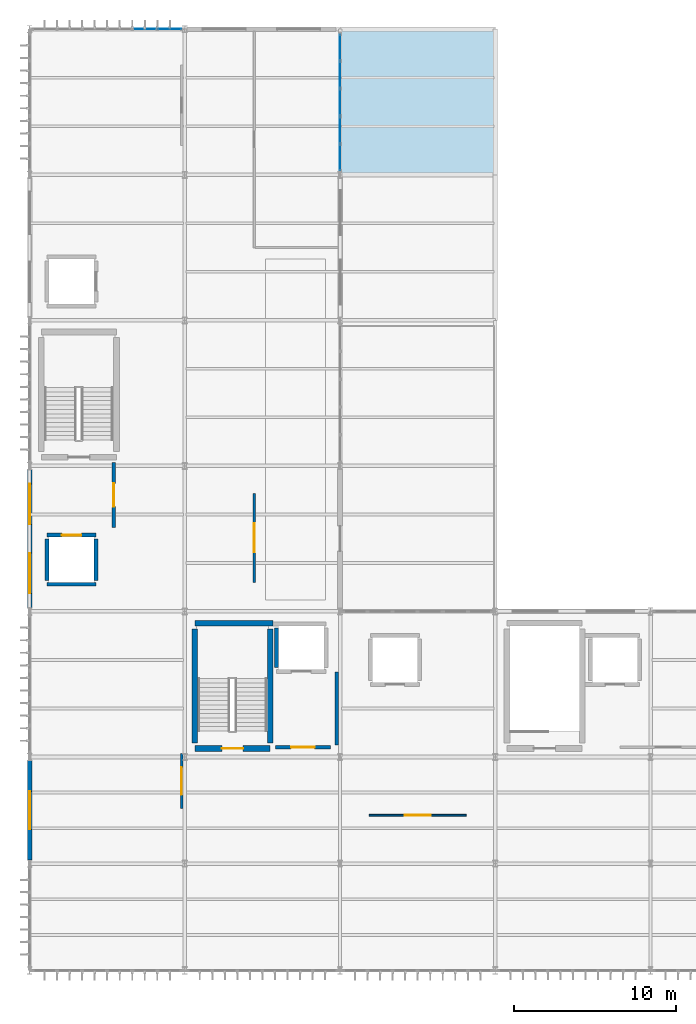
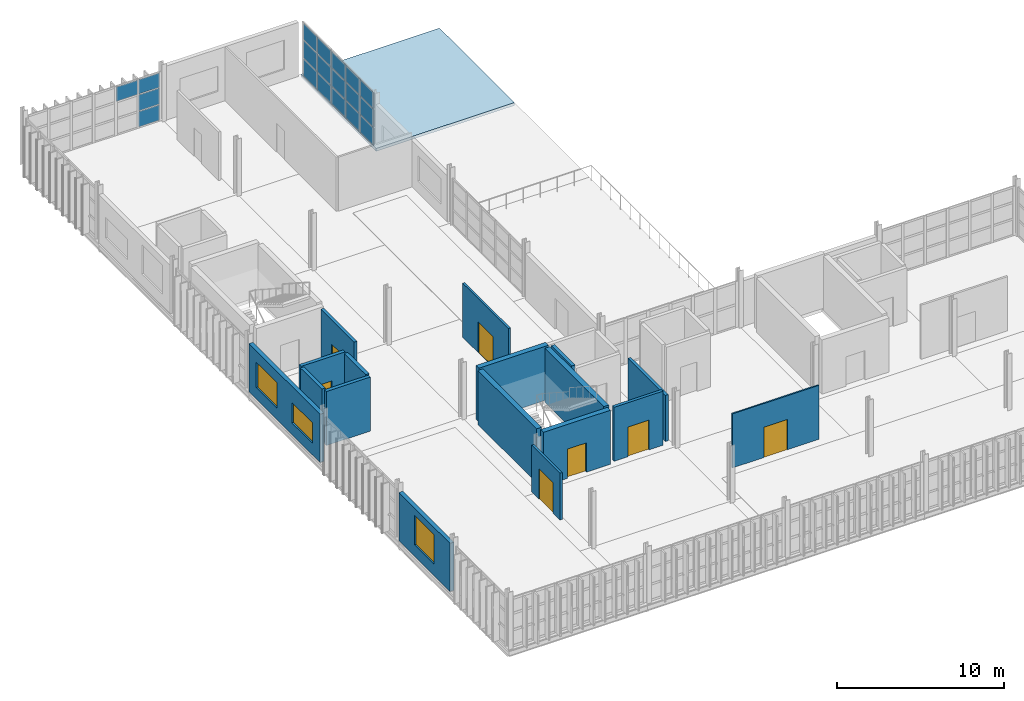
# One storey, part 18 of 38: 19 plates, 17 walls, 7 doors, 3 windows, 1 slab, 10 openings, 2 elements without a shape of their own.
"""IFC4 building model written with IfcOpenShell, lengths in metres."""

from ifc_helpers import new_model, si_unit, direction, frame, frame_2d, origin, origin_2d, place, context, subcontext, project, spatial, polyline, rectangle, outline, extrude, material, layer, layer_set, type_object, element, fill, aggregate, save


model = new_model("IFC4")

# Units and contexts
model_context = context("Model", 3, precision=1e-05, world=origin(), true_north=direction((0.0, 1.0)))
body_context = subcontext(model_context, "Body", "Model", "MODEL_VIEW")
ifc_project = project(units=[si_unit("LENGTHUNIT", "METRE"), si_unit("AREAUNIT", "SQUARE_METRE"), si_unit("VOLUMEUNIT", "CUBIC_METRE"), si_unit("PLANEANGLEUNIT", "RADIAN"), si_unit("MASSUNIT", "GRAM", prefix="KILO")], contexts=[model_context])

# Site, building, storey
site_placement = place(None, origin())
site = spatial("IfcSite", under=ifc_project, at=site_placement, CompositionType="ELEMENT")
building_placement = place(site_placement, origin())
building = spatial("IfcBuilding", under=site, at=building_placement, Name="Zarnetskaya Central Station", CompositionType="ELEMENT")
storey_placement = place(building_placement, frame((0.0, 0.0, 18.60009765625)))
storey = spatial("IfcBuildingStorey", under=building, at=storey_placement, Name="L04", CompositionType="ELEMENT", Elevation=18.60009765625)

# Curtain wall, plates
ifc_material_1 = material(Name="Low-E insulated glass", Category="glass")
ifc_layer_1 = layer(ifc_material_1, 0.159912109375, Name="Low-E insulated glass", Category="glass")
ifc_layer_set_1 = layer_set([ifc_layer_1], Name="Low-E insulated glass")
curtain_wall_type = type_object("IfcCurtainWallType", Name="CW-SYS-06", PredefinedType="USERDEFINED", material=ifc_layer_set_1)
curtain_wall_1_placement = place(storey_placement, origin())
curtain_wall_1 = element("IfcCurtainWall", 1, at=curtain_wall_1_placement, inside=storey, type_object=curtain_wall_type, Name="Curtain wall CW-L04-051", ObjectType="CURTAIN WALL", PredefinedType="USERDEFINED")
ifc_layer_2 = layer(ifc_material_1, 0.031982421875, Name="Low-E insulated glass", Category="glass")
ifc_layer_set_2 = layer_set([ifc_layer_2], Name="Low-E insulated glass")
plate_type_1 = type_object("IfcPlateType", Name="CW-PAN-32", PredefinedType="CURTAIN_PANEL", material=ifc_layer_set_2)
plate_1_placement = place(storey_placement, frame((7.125, 58.199951171875, 2.48291015625), z_axis=(0.0, 0.0, 1.0), x_axis=(1.0, 0.0, 0.0)))
plate_1 = element("IfcPlate", 2, at=plate_1_placement, type_object=plate_type_1, Name="CW-02 panel 5.3", PredefinedType="CURTAIN_PANEL", context=body_context, shape_type="SweptSolid", body=[
    extrude(rectangle(XDim=1.47998046875, YDim=0.031982421875, at=origin_2d()), origin(), (0.0, 0.0, 1.0), 1.047119140625),
])
plate_2_placement = place(storey_placement, frame((8.657470703125, 58.199951171875, 0.06982421875), z_axis=(0.0, 0.0, 1.0), x_axis=(1.0, 0.0, 0.0)))
plate_2 = element("IfcPlate", 3, at=plate_2_placement, type_object=plate_type_1, Name="CW-02 panel 6.1", PredefinedType="CURTAIN_PANEL", context=body_context, shape_type="SweptSolid", body=[
    extrude(rectangle(XDim=1.445068359375, YDim=0.031982421875, at=origin_2d()), origin(), (0.0, 0.0, 1.0), 1.118896484375),
])
plate_3_placement = place(storey_placement, frame((8.657470703125, 58.199951171875, 1.2587890625), z_axis=(0.0, 0.0, 1.0), x_axis=(1.0, 0.0, 0.0)))
plate_3 = element("IfcPlate", 4, at=plate_3_placement, type_object=plate_type_1, Name="CW-02 panel 6.2", PredefinedType="CURTAIN_PANEL", context=body_context, shape_type="SweptSolid", body=[
    extrude(rectangle(XDim=1.445068359375, YDim=0.031982421875, at=origin_2d()), origin(), (0.0, 0.0, 1.0), 1.154052734375),
])
plate_4_placement = place(storey_placement, frame((8.657470703125, 58.199951171875, 2.48291015625), z_axis=(0.0, 0.0, 1.0), x_axis=(1.0, 0.0, 0.0)))
plate_4 = element("IfcPlate", 5, at=plate_4_placement, type_object=plate_type_1, Name="CW-02 panel 6.3", PredefinedType="CURTAIN_PANEL", context=body_context, shape_type="SweptSolid", body=[
    extrude(rectangle(XDim=1.445068359375, YDim=0.031982421875, at=origin_2d()), origin(), (0.0, 0.0, 1.0), 1.047119140625),
])
aggregate(curtain_wall_1, [plate_1, plate_2, plate_3, plate_4])

curtain_wall_2_placement = place(storey_placement, origin())
curtain_wall_2 = element("IfcCurtainWall", 6, at=curtain_wall_2_placement, inside=storey, type_object=curtain_wall_type, Name="Curtain wall CW-L04-052", ObjectType="CURTAIN WALL", PredefinedType="USERDEFINED")
ifc_layer_3 = layer(ifc_material_1, 0.035888671875, Name="Low-E insulated glass", Category="glass")
ifc_layer_set_3 = layer_set([ifc_layer_3], Name="Low-E insulated glass")
plate_type_2 = type_object("IfcPlateType", Name="CW-PAN-36", PredefinedType="CURTAIN_PANEL", material=ifc_layer_set_3)
plate_5_placement = place(storey_placement, frame((19.199951171875, 57.074951171875, 0.080078125), z_axis=(0.0, 0.0, 1.0), x_axis=(0.0, -1.0, 0.0)))
plate_5 = element("IfcPlate", 7, at=plate_5_placement, type_object=plate_type_2, Name="CW-02 panel 1.1", PredefinedType="CURTAIN_PANEL", context=body_context, shape_type="SweptSolid", body=[
    extrude(rectangle(XDim=1.590087890625, YDim=0.035888671875, at=origin_2d()), origin(), (0.0, 0.0, 1.0), 1.237060546875),
])
plate_6_placement = place(storey_placement, frame((19.199951171875, 57.074951171875, 1.39697265625), z_axis=(0.0, 0.0, 1.0), x_axis=(0.0, -1.0, 0.0)))
plate_6 = element("IfcPlate", 8, at=plate_6_placement, type_object=plate_type_2, Name="CW-02 panel 1.2", PredefinedType="CURTAIN_PANEL", context=body_context, shape_type="SweptSolid", body=[
    extrude(rectangle(XDim=1.590087890625, YDim=0.035888671875, at=origin_2d()), origin(), (0.0, 0.0, 1.0), 1.27587890625),
])
plate_7_placement = place(storey_placement, frame((19.199951171875, 57.074951171875, 2.7529296875), z_axis=(0.0, 0.0, 1.0), x_axis=(0.0, -1.0, 0.0)))
plate_7 = element("IfcPlate", 9, at=plate_7_placement, type_object=plate_type_2, Name="CW-02 panel 1.3", PredefinedType="CURTAIN_PANEL", context=body_context, shape_type="SweptSolid", body=[
    extrude(rectangle(XDim=1.590087890625, YDim=0.035888671875, at=origin_2d()), origin(), (0.0, 0.0, 1.0), 1.156982421875),
])
plate_8_placement = place(storey_placement, frame((19.199951171875, 55.385009765625, 0.080078125), z_axis=(0.0, 0.0, 1.0), x_axis=(0.0, -1.0, 0.0)))
plate_8 = element("IfcPlate", 10, at=plate_8_placement, type_object=plate_type_2, Name="CW-02 panel 2.1", PredefinedType="CURTAIN_PANEL", context=body_context, shape_type="SweptSolid", body=[
    extrude(rectangle(XDim=1.6298828125, YDim=0.035888671875, at=origin_2d()), origin(), (0.0, 0.0, 1.0), 1.237060546875),
])
plate_9_placement = place(storey_placement, frame((19.199951171875, 55.385009765625, 1.39697265625), z_axis=(0.0, 0.0, 1.0), x_axis=(0.0, -1.0, 0.0)))
plate_9 = element("IfcPlate", 11, at=plate_9_placement, type_object=plate_type_2, Name="CW-02 panel 2.2", PredefinedType="CURTAIN_PANEL", context=body_context, shape_type="SweptSolid", body=[
    extrude(rectangle(XDim=1.6298828125, YDim=0.035888671875, at=origin_2d()), origin(), (0.0, 0.0, 1.0), 1.27587890625),
])
plate_10_placement = place(storey_placement, frame((19.199951171875, 55.385009765625, 2.7529296875), z_axis=(0.0, 0.0, 1.0), x_axis=(0.0, -1.0, 0.0)))
plate_10 = element("IfcPlate", 12, at=plate_10_placement, type_object=plate_type_2, Name="CW-02 panel 2.3", PredefinedType="CURTAIN_PANEL", context=body_context, shape_type="SweptSolid", body=[
    extrude(rectangle(XDim=1.6298828125, YDim=0.035888671875, at=origin_2d()), origin(), (0.0, 0.0, 1.0), 1.156982421875),
])
plate_11_placement = place(storey_placement, frame((19.199951171875, 53.675048828125, 0.080078125), z_axis=(0.0, 0.0, 1.0), x_axis=(0.0, -1.0, 0.0)))
plate_11 = element("IfcPlate", 13, at=plate_11_placement, type_object=plate_type_2, Name="CW-02 panel 3.1", PredefinedType="CURTAIN_PANEL", context=body_context, shape_type="SweptSolid", body=[
    extrude(rectangle(XDim=1.6298828125, YDim=0.035888671875, at=origin_2d()), origin(), (0.0, 0.0, 1.0), 1.237060546875),
])
plate_12_placement = place(storey_placement, frame((19.199951171875, 53.675048828125, 1.39697265625), z_axis=(0.0, 0.0, 1.0), x_axis=(0.0, -1.0, 0.0)))
plate_12 = element("IfcPlate", 14, at=plate_12_placement, type_object=plate_type_2, Name="CW-02 panel 3.2", PredefinedType="CURTAIN_PANEL", context=body_context, shape_type="SweptSolid", body=[
    extrude(rectangle(XDim=1.6298828125, YDim=0.035888671875, at=origin_2d()), origin(), (0.0, 0.0, 1.0), 1.27587890625),
])
plate_13_placement = place(storey_placement, frame((19.199951171875, 53.675048828125, 2.7529296875), z_axis=(0.0, 0.0, 1.0), x_axis=(0.0, -1.0, 0.0)))
plate_13 = element("IfcPlate", 15, at=plate_13_placement, type_object=plate_type_2, Name="CW-02 panel 3.3", PredefinedType="CURTAIN_PANEL", context=body_context, shape_type="SweptSolid", body=[
    extrude(rectangle(XDim=1.6298828125, YDim=0.035888671875, at=origin_2d()), origin(), (0.0, 0.0, 1.0), 1.156982421875),
])
plate_14_placement = place(storey_placement, frame((19.199951171875, 51.965087890625, 0.080078125), z_axis=(0.0, 0.0, 1.0), x_axis=(0.0, -1.0, 0.0)))
plate_14 = element("IfcPlate", 16, at=plate_14_placement, type_object=plate_type_2, Name="CW-02 panel 4.1", PredefinedType="CURTAIN_PANEL", context=body_context, shape_type="SweptSolid", body=[
    extrude(rectangle(XDim=1.6298828125, YDim=0.035888671875, at=origin_2d()), origin(), (0.0, 0.0, 1.0), 1.237060546875),
])
plate_15_placement = place(storey_placement, frame((19.199951171875, 51.965087890625, 1.39697265625), z_axis=(0.0, 0.0, 1.0), x_axis=(0.0, -1.0, 0.0)))
plate_15 = element("IfcPlate", 17, at=plate_15_placement, type_object=plate_type_2, Name="CW-02 panel 4.2", PredefinedType="CURTAIN_PANEL", context=body_context, shape_type="SweptSolid", body=[
    extrude(rectangle(XDim=1.6298828125, YDim=0.035888671875, at=origin_2d()), origin(), (0.0, 0.0, 1.0), 1.27587890625),
])
plate_16_placement = place(storey_placement, frame((19.199951171875, 51.965087890625, 2.7529296875), z_axis=(0.0, 0.0, 1.0), x_axis=(0.0, -1.0, 0.0)))
plate_16 = element("IfcPlate", 18, at=plate_16_placement, type_object=plate_type_2, Name="CW-02 panel 4.3", PredefinedType="CURTAIN_PANEL", context=body_context, shape_type="SweptSolid", body=[
    extrude(rectangle(XDim=1.6298828125, YDim=0.035888671875, at=origin_2d()), origin(), (0.0, 0.0, 1.0), 1.156982421875),
])
plate_17_placement = place(storey_placement, frame((19.199951171875, 50.27490234375, 0.080078125), z_axis=(0.0, 0.0, 1.0), x_axis=(0.0, -1.0, 0.0)))
plate_17 = element("IfcPlate", 19, at=plate_17_placement, type_object=plate_type_2, Name="CW-02 panel 5.1", PredefinedType="CURTAIN_PANEL", context=body_context, shape_type="SweptSolid", body=[
    extrude(rectangle(XDim=1.590087890625, YDim=0.035888671875, at=origin_2d()), origin(), (0.0, 0.0, 1.0), 1.237060546875),
])
plate_18_placement = place(storey_placement, frame((19.199951171875, 50.27490234375, 1.39697265625), z_axis=(0.0, 0.0, 1.0), x_axis=(0.0, -1.0, 0.0)))
plate_18 = element("IfcPlate", 20, at=plate_18_placement, type_object=plate_type_2, Name="CW-02 panel 5.2", PredefinedType="CURTAIN_PANEL", context=body_context, shape_type="SweptSolid", body=[
    extrude(rectangle(XDim=1.590087890625, YDim=0.035888671875, at=origin_2d()), origin(), (0.0, 0.0, 1.0), 1.27587890625),
])
plate_19_placement = place(storey_placement, frame((19.199951171875, 50.27490234375, 2.7529296875), z_axis=(0.0, 0.0, 1.0), x_axis=(0.0, -1.0, 0.0)))
plate_19 = element("IfcPlate", 21, at=plate_19_placement, type_object=plate_type_2, Name="CW-02 panel 5.3", PredefinedType="CURTAIN_PANEL", context=body_context, shape_type="SweptSolid", body=[
    extrude(rectangle(XDim=1.590087890625, YDim=0.035888671875, at=origin_2d()), origin(), (0.0, 0.0, 1.0), 1.156982421875),
])
aggregate(curtain_wall_2, [plate_5, plate_6, plate_7, plate_8, plate_9, plate_10, plate_11, plate_12, plate_13, plate_14, plate_15, plate_16, plate_17, plate_18, plate_19])

# Slab
ifc_material_2 = material(Name="Concrete C30/37", Category="concrete")
ifc_layer_4 = layer(ifc_material_2, 0.2099609375, Name="Concrete C30/37", Category="concrete")
ifc_layer_set_4 = layer_set([ifc_layer_4], Name="Concrete C30/37")
slab_type = type_object("IfcSlabType", Name="ROOF-FLAT-210", PredefinedType="ROOF", material=ifc_layer_set_4)
slab_placement = place(storey_placement, frame((0.0, 0.0, -0.210205078125)))
element("IfcSlab", 22, at=slab_placement, inside=storey, type_object=slab_type, Name="L04 slab C-D/7-8", PredefinedType="ROOF", context=body_context, shape_type="SweptSolid", body=[
    extrude(outline(polyline([(19.199951171875, 49.199951171875), (28.800048828125, 49.199951171875), (28.800048828125, 58.199951171875), (19.199951171875, 58.199951171875), (19.199951171875, 49.199951171875)])), origin(), (0.0, 0.0, 1.0), 0.210205078125),
])

# Wall, opening, door
ifc_material_3 = material(Name="Gypsum acoustic partition")
ifc_layer_5 = layer(ifc_material_3, 0.159912109375, Name="Gypsum acoustic partition")
ifc_layer_set_5 = layer_set([ifc_layer_5], Name="Gypsum acoustic partition")
wall_type_1 = type_object("IfcWallType", Name="PART-ACOU-160", PredefinedType="PARTITIONING", material=ifc_layer_set_5)
wall_1_placement = place(storey_placement, frame((9.39990234375, 13.39990234375, 0.0), z_axis=(0.0, 0.0, 1.0), x_axis=(0.0, -1.0, 0.0)))
wall_1 = element("IfcWall", 23, at=wall_1_placement, inside=storey, type_object=wall_type_1, Name="Interior partition IPRT-L04-0436", PredefinedType="PARTITIONING", context=body_context, shape_type="SweptSolid", body=[
    extrude(rectangle(XDim=3.39990234375, YDim=0.159912109375, at=frame_2d((1.699951171875, 0.0))), origin(), (0.0, 0.0, 1.0), 3.429931640625),
])
opening_1_placement = place(wall_1_placement, frame((0.85009765625, 0.0, 0.0)))
opening_1 = element("IfcOpeningElement", 24, at=opening_1_placement, cuts=wall_1, Name="Opening DR-05", PredefinedType="OPENING", context=body_context, shape_type="SweptSolid", body=[
    extrude(rectangle(XDim=1.699951171875, YDim=2.219970703125, at=frame_2d((0.85009765625, 1.10986328125))), frame((0.0, 0.08984375, 0.0), z_axis=(0.0, -1.0, 0.0), x_axis=(1.0, 0.0, 0.0)), (0.0, 0.0, 1.0), 0.179931640625),
])
ifc_material_4 = material(Name="Anodised aluminium", Category="aluminium")
door_type_1 = type_object("IfcDoorType", Name="DR-INT-17", OperationType="NOTDEFINED", PredefinedType="DOOR", material=ifc_material_4)
door_1_placement = place(opening_1_placement, origin())
door_1 = element("IfcDoor", 25, at=door_1_placement, inside=storey, type_object=door_type_1, Name="Staff Simulator Training Classroom door", OperationType="SINGLE_SWING_LEFT", OverallHeight=2.219970703125, OverallWidth=1.699951171875, PredefinedType="DOOR", context=body_context, shape_type="SweptSolid", body=[
    extrude(rectangle(XDim=1.699951171875, YDim=2.219970703125, at=frame_2d((0.85009765625, 1.10986328125))), frame((0.0, 0.02490234375, 0.0), z_axis=(0.0, -1.0, 0.0), x_axis=(1.0, 0.0, 0.0)), (0.0, 0.0, 1.0), 0.050048828125),
])
fill(opening_1, door_1)

ifc_layer_6 = layer(ifc_material_2, 0.205078125, Name="Concrete C30/37", Category="concrete")
ifc_layer_set_6 = layer_set([ifc_layer_6], Name="Concrete C30/37")
wall_type_2 = type_object("IfcWallType", Name="PART-FFL-205", PredefinedType="PARTITIONING", material=ifc_layer_set_6)
wall_2_placement = place(storey_placement, frame((18.60009765625, 13.800048828125, 0.0), z_axis=(0.0, 0.0, 1.0), x_axis=(-1.0, 0.0, 0.0)))
wall_2 = element("IfcWall", 26, at=wall_2_placement, inside=storey, type_object=wall_type_2, Name="Interior partition IPRT-L04-0368", PredefinedType="PARTITIONING", context=body_context, shape_type="SweptSolid", body=[
    extrude(rectangle(XDim=3.400146484375, YDim=0.205078125, at=frame_2d((1.7001953125, 0.0))), origin(), (0.0, 0.0, 1.0), 3.9599609375),
])
opening_2_placement = place(wall_2_placement, frame((0.97998046875, 0.0, 0.0)))
opening_2 = element("IfcOpeningElement", 27, at=opening_2_placement, cuts=wall_2, Name="Opening DR-FFL", PredefinedType="OPENING", context=body_context, shape_type="SweptSolid", body=[
    extrude(rectangle(XDim=1.43994140625, YDim=2.179931640625, at=frame_2d((0.719970703125, 1.08984375))), frame((0.0, 0.112548828125, 0.0), z_axis=(0.0, -1.0, 0.0), x_axis=(1.0, 0.0, 0.0)), (0.0, 0.0, 1.0), 0.22509765625),
])
door_type_2 = type_object("IfcDoorType", Name="DR-FIRE-LOBBY", OperationType="NOTDEFINED", PredefinedType="DOOR", material=ifc_material_4)
door_2_placement = place(opening_2_placement, origin())
door_2 = element("IfcDoor", 28, at=door_2_placement, inside=storey, type_object=door_type_2, Name="Firefighting Lift Lobby C1 door", OperationType="SINGLE_SWING_RIGHT", OverallHeight=2.179931640625, OverallWidth=1.43994140625, PredefinedType="DOOR", context=body_context, shape_type="SweptSolid", body=[
    extrude(rectangle(XDim=1.43994140625, YDim=2.179931640625, at=frame_2d((0.719970703125, 1.08984375))), frame((0.0, 0.02490234375, 0.0), z_axis=(0.0, -1.0, 0.0), x_axis=(1.0, 0.0, 0.0)), (0.0, 0.0, 1.0), 0.050048828125),
])
fill(opening_2, door_2)

# Wall
wall_3_placement = place(storey_placement, frame((19.0, 18.449951171875, 0.0), z_axis=(0.0, 0.0, 1.0), x_axis=(0.0, -1.0, 0.0)))
element("IfcWall", 29, at=wall_3_placement, inside=storey, type_object=wall_type_2, Name="Interior partition IPRT-L04-0369", PredefinedType="PARTITIONING", context=body_context, shape_type="SweptSolid", body=[
    extrude(rectangle(XDim=4.5, YDim=0.205078125, at=frame_2d((2.25, 0.0))), origin(), (0.0, 0.0, 1.0), 3.3798828125),
])

# Wall, opening, door
wall_4_placement = place(storey_placement, frame((5.199951171875, 31.39990234375, 0.0), z_axis=(0.0, 0.0, 1.0), x_axis=(0.0, -1.0, 0.0)))
wall_4 = element("IfcWall", 30, at=wall_4_placement, inside=storey, type_object=wall_type_2, Name="Interior partition IPRT-L04-0370", PredefinedType="PARTITIONING", context=body_context, shape_type="SweptSolid", body=[
    extrude(rectangle(XDim=4.0, YDim=0.205078125, at=frame_2d((2.0, 0.0))), origin(), (0.0, 0.0, 1.0), 3.9599609375),
])
opening_3_placement = place(wall_4_placement, frame((1.280029296875, 0.0, 0.0)))
opening_3 = element("IfcOpeningElement", 31, at=opening_3_placement, cuts=wall_4, Name="Opening DR-FFL", PredefinedType="OPENING", context=body_context, shape_type="SweptSolid", body=[
    extrude(rectangle(XDim=1.43994140625, YDim=2.179931640625, at=frame_2d((0.719970703125, 1.08984375))), frame((0.0, 0.112548828125, 0.0), z_axis=(0.0, -1.0, 0.0), x_axis=(1.0, 0.0, 0.0)), (0.0, 0.0, 1.0), 0.22509765625),
])
door_3_placement = place(opening_3_placement, origin())
door_3 = element("IfcDoor", 32, at=door_3_placement, inside=storey, type_object=door_type_2, Name="Firefighting Lift Lobby C2 door", OperationType="SINGLE_SWING_LEFT", OverallHeight=2.179931640625, OverallWidth=1.43994140625, PredefinedType="DOOR", context=body_context, shape_type="SweptSolid", body=[
    extrude(rectangle(XDim=1.43994140625, YDim=2.179931640625, at=frame_2d((0.719970703125, 1.08984375))), frame((0.0, 0.02490234375, 0.0), z_axis=(0.0, -1.0, 0.0), x_axis=(1.0, 0.0, 0.0)), (0.0, 0.0, 1.0), 0.050048828125),
])
fill(opening_3, door_3)

ifc_layer_7 = layer(ifc_material_3, 0.14501953125, Name="Gypsum acoustic partition")
ifc_layer_set_7 = layer_set([ifc_layer_7], Name="Gypsum acoustic partition")
wall_type_3 = type_object("IfcWallType", Name="PART-HALL-145", PredefinedType="PARTITIONING", material=ifc_layer_set_7)
wall_5_placement = place(storey_placement, frame((13.89990234375, 24.0, 0.0), z_axis=(0.0, 0.0, 1.0), x_axis=(0.0, 1.0, 0.0)))
wall_5 = element("IfcWall", 33, at=wall_5_placement, inside=storey, type_object=wall_type_3, Name="Interior partition IPRT-L04-0437", PredefinedType="PARTITIONING", context=body_context, shape_type="SweptSolid", body=[
    extrude(rectangle(XDim=5.5, YDim=0.14501953125, at=frame_2d((2.75, 0.0))), origin(), (0.0, 0.0, 1.0), 3.9599609375),
])
opening_4_placement = place(wall_5_placement, frame((1.860107421875, 0.0, 0.0)))
opening_4 = element("IfcOpeningElement", 34, at=opening_4_placement, cuts=wall_5, Name="Opening DR-21", PredefinedType="OPENING", context=body_context, shape_type="SweptSolid", body=[
    extrude(rectangle(XDim=1.780029296875, YDim=2.239990234375, at=frame_2d((0.89013671875, 1.1201171875))), frame((0.0, 0.08251953125, 0.0), z_axis=(0.0, -1.0, 0.0), x_axis=(1.0, 0.0, 0.0)), (0.0, 0.0, 1.0), 0.1650390625),
])
door_type_3 = type_object("IfcDoorType", Name="DR-INT-18", OperationType="NOTDEFINED", PredefinedType="DOOR", material=ifc_material_4)
door_4_placement = place(opening_4_placement, origin())
door_4 = element("IfcDoor", 35, at=door_4_placement, inside=storey, type_object=door_type_3, Name="Timetable and Engineering Archive door", OperationType="SINGLE_SWING_RIGHT", OverallHeight=2.239990234375, OverallWidth=1.780029296875, PredefinedType="DOOR", context=body_context, shape_type="SweptSolid", body=[
    extrude(rectangle(XDim=1.780029296875, YDim=2.239990234375, at=frame_2d((0.89013671875, 1.1201171875))), frame((0.0, 0.02490234375, 0.0), z_axis=(0.0, -1.0, 0.0), x_axis=(1.0, 0.0, 0.0)), (0.0, 0.0, 1.0), 0.050048828125),
])
fill(opening_4, door_4)

ifc_material_5 = material(Name="Gypsum stud partition")
ifc_layer_8 = layer(ifc_material_5, 0.10009765625, Name="Gypsum stud partition")
ifc_layer_set_8 = layer_set([ifc_layer_8], Name="Gypsum stud partition")
wall_type_4 = type_object("IfcWallType", Name="PART-LGT-100", PredefinedType="PARTITIONING", material=ifc_layer_set_8)
wall_6_placement = place(storey_placement, frame((21.0, 9.60009765625, 0.0), z_axis=(0.0, 0.0, 1.0), x_axis=(1.0, 0.0, 0.0)))
wall_6 = element("IfcWall", 36, at=wall_6_placement, inside=storey, type_object=wall_type_4, Name="Interior partition IPRT-L04-0435", PredefinedType="PARTITIONING", context=body_context, shape_type="SweptSolid", body=[
    extrude(rectangle(XDim=6.0, YDim=0.10009765625, at=frame_2d((3.0, 0.0))), origin(), (0.0, 0.0, 1.0), 3.9599609375),
])
opening_5_placement = place(wall_6_placement, frame((2.18994140625, 0.0, 0.0)))
opening_5 = element("IfcOpeningElement", 37, at=opening_5_placement, cuts=wall_6, Name="Opening DR-13", PredefinedType="OPENING", context=body_context, shape_type="SweptSolid", body=[
    extrude(rectangle(XDim=1.6201171875, YDim=2.219970703125, at=frame_2d((0.81005859375, 1.10986328125))), frame((0.0, 0.06005859375, 0.0), z_axis=(0.0, -1.0, 0.0), x_axis=(1.0, 0.0, 0.0)), (0.0, 0.0, 1.0), 0.1201171875),
])
door_type_4 = type_object("IfcDoorType", Name="DR-INT-16", OperationType="NOTDEFINED", PredefinedType="DOOR", material=ifc_material_4)
door_5_placement = place(opening_5_placement, origin())
door_5 = element("IfcDoor", 38, at=door_5_placement, inside=storey, type_object=door_type_4, Name="Network Timetable Planning Office door", OperationType="SINGLE_SWING_RIGHT", OverallHeight=2.219970703125, OverallWidth=1.6201171875, PredefinedType="DOOR", context=body_context, shape_type="SweptSolid", body=[
    extrude(rectangle(XDim=1.6201171875, YDim=2.219970703125, at=frame_2d((0.81005859375, 1.10986328125))), frame((0.0, 0.02490234375, 0.0), z_axis=(0.0, -1.0, 0.0), x_axis=(1.0, 0.0, 0.0)), (0.0, 0.0, 1.0), 0.050048828125),
])
fill(opening_5, door_5)

ifc_material_6 = material(Name="Concrete C35/45", Category="concrete")
ifc_layer_9 = layer(ifc_material_6, 0.35009765625, Name="Concrete C35/45", Category="concrete")
ifc_layer_set_9 = layer_set([ifc_layer_9], Name="Concrete C35/45")
wall_type_5 = type_object("IfcWallType", Name="WALL-CORE-350", PredefinedType="SHEAR", material=ifc_layer_set_9)
wall_7_placement = place(storey_placement, frame((14.875, 13.72509765625, 0.0), z_axis=(0.0, 0.0, 1.0), x_axis=(-1.0, 0.0, 0.0)))
wall_7 = element("IfcWall", 39, at=wall_7_placement, inside=storey, type_object=wall_type_5, Name="Core shear wall WSTR-L04-0209", PredefinedType="SHEAR", context=body_context, shape_type="SweptSolid", body=[
    extrude(rectangle(XDim=4.64990234375, YDim=0.35009765625, at=frame_2d((2.324951171875, 0.0))), origin(), (0.0, 0.0, 1.0), 3.9599609375),
])
opening_6_placement = place(wall_7_placement, frame((1.6650390625, 0.0, 0.0)))
opening_6 = element("IfcOpeningElement", 40, at=opening_6_placement, cuts=wall_7, Name="Opening DR-FD60", PredefinedType="OPENING", context=body_context, shape_type="SweptSolid", body=[
    extrude(rectangle(XDim=1.320068359375, YDim=2.14990234375, at=frame_2d((0.66015625, 1.074951171875))), frame((0.0, 0.18505859375, 0.0), z_axis=(0.0, -1.0, 0.0), x_axis=(1.0, 0.0, 0.0)), (0.0, 0.0, 1.0), 0.3701171875),
])
door_type_5 = type_object("IfcDoorType", Name="DR-FIRE-STAIR", OperationType="NOTDEFINED", PredefinedType="DOOR", material=ifc_material_4)
door_6_placement = place(opening_6_placement, origin())
door_6 = element("IfcDoor", 41, at=door_6_placement, inside=storey, type_object=door_type_5, Name="Protected exit stair door ST-C1 L04", OperationType="SINGLE_SWING_RIGHT", OverallHeight=2.14990234375, OverallWidth=1.320068359375, PredefinedType="DOOR", context=body_context, shape_type="SweptSolid", body=[
    extrude(rectangle(XDim=1.320068359375, YDim=2.14990234375, at=frame_2d((0.66015625, 1.074951171875))), frame((0.0, 0.02490234375, 0.0), z_axis=(0.0, -1.0, 0.0), x_axis=(1.0, 0.0, 0.0)), (0.0, 0.0, 1.0), 0.050048828125),
])
fill(opening_6, door_6)

# Walls
wall_8_placement = place(storey_placement, frame((10.22509765625, 21.47509765625, 0.0), z_axis=(0.0, 0.0, 1.0), x_axis=(1.0, 0.0, 0.0)))
element("IfcWall", 42, at=wall_8_placement, inside=storey, type_object=wall_type_5, Name="Core shear wall WSTR-L04-0210", PredefinedType="SHEAR", context=body_context, shape_type="SweptSolid", body=[
    extrude(rectangle(XDim=4.824951171875, YDim=0.35009765625, at=frame_2d((2.41259765625, 0.0))), origin(), (0.0, 0.0, 1.0), 3.9599609375),
])
for number, where, z_axis, x_axis, name in (
    (43, (10.22509765625, 14.074951171875, 0.0), (0.0, 0.0, 1.0), (0.0, 1.0, 0.0), "Core shear wall WSTR-L04-0211"),
    (44, (14.875, 21.125, 0.0), (0.0, 0.0, 1.0), (0.0, -1.0, 0.0), "Core shear wall WSTR-L04-0212"),
):
    element("IfcWall", number, at=place(storey_placement, frame(where, z_axis=z_axis, x_axis=x_axis)), inside=storey, type_object=wall_type_5, Name=name, PredefinedType="SHEAR", context=body_context, shape_type="SweptSolid", body=[
        extrude(rectangle(XDim=7.050048828125, YDim=0.35009765625, at=frame_2d((3.52490234375, 0.0))), origin(), (0.0, 0.0, 1.0), 3.9599609375),
    ])

# Wall, opening, window
ifc_material_7 = material(Name="Precast concrete C40/50", Category="concrete")
ifc_layer_10 = layer(ifc_material_7, 0.280029296875, Name="Precast concrete C40/50", Category="concrete")
ifc_layer_set_10 = layer_set([ifc_layer_10], Name="Precast concrete C40/50")
wall_type_6 = type_object("IfcWallType", Name="WALL-EXT-280", PredefinedType="SOLIDWALL", material=ifc_layer_set_10)
wall_9_placement = place(storey_placement, frame((0.0, 6.824951171875, 0.0), z_axis=(0.0, 0.0, 1.0), x_axis=(0.0, 1.0, 0.0)))
wall_9 = element("IfcWall", 45, at=wall_9_placement, inside=storey, type_object=wall_type_6, Name="Exterior precast wall EW-L04-0-68-0-130", PredefinedType="SOLIDWALL", context=body_context, shape_type="SweptSolid", body=[
    extrude(rectangle(XDim=6.150146484375, YDim=0.280029296875, at=frame_2d((3.0751953125, 0.0))), origin(), (0.0, 0.0, 1.0), 3.52978515625),
])
opening_7_placement = place(wall_9_placement, frame((1.89990234375, 0.0, 0.85009765625)))
opening_7 = element("IfcOpeningElement", 46, at=opening_7_placement, cuts=wall_9, Name="Opening WN-17", PredefinedType="OPENING", context=body_context, shape_type="SweptSolid", body=[
    extrude(rectangle(XDim=2.35009765625, YDim=2.14990234375, at=frame_2d((1.175048828125, 1.074951171875))), frame((0.0, 0.14990234375, 0.0), z_axis=(0.0, -1.0, 0.0), x_axis=(1.0, 0.0, 0.0)), (0.0, 0.0, 1.0), 0.300048828125),
])
window_type_1 = type_object("IfcWindowType", Name="WIN-36", PartitioningType="DOUBLE_PANEL_VERTICAL", PredefinedType="WINDOW", material=ifc_material_1)
window_1_placement = place(opening_7_placement, origin())
window_1 = element("IfcWindow", 47, at=window_1_placement, inside=storey, type_object=window_type_1, Name="Facade window L04-0090", OverallHeight=2.14990234375, OverallWidth=2.35009765625, PartitioningType="SINGLE_PANEL", PredefinedType="WINDOW", context=body_context, shape_type="SweptSolid", body=[
    extrude(rectangle(XDim=2.35009765625, YDim=2.14990234375, at=frame_2d((1.175048828125, 1.074951171875))), frame((0.0, 0.030029296875, 0.0), z_axis=(0.0, -1.0, 0.0), x_axis=(1.0, 0.0, 0.0)), (0.0, 0.0, 1.0), 0.06005859375),
])
fill(opening_7, window_1)

# Wall, openings, windows
wall_10_placement = place(storey_placement, frame((0.0, 22.425048828125, 0.0), z_axis=(0.0, 0.0, 1.0), x_axis=(0.0, 1.0, 0.0)))
wall_10 = element("IfcWall", 48, at=wall_10_placement, inside=storey, type_object=wall_type_6, Name="Exterior precast wall EW-L04-0-224-0-310", PredefinedType="SOLIDWALL", context=body_context, shape_type="SweptSolid", body=[
    extrude(rectangle(XDim=8.550048828125, YDim=0.280029296875, at=frame_2d((4.27490234375, 0.0))), origin(), (0.0, 0.0, 1.0), 3.52978515625),
])
opening_8_placement = place(wall_10_placement, frame((0.887451171875, 0.0, 0.85009765625)))
opening_8 = element("IfcOpeningElement", 49, at=opening_8_placement, cuts=wall_10, Name="Opening WN-39", PredefinedType="OPENING", context=body_context, shape_type="SweptSolid", body=[
    extrude(rectangle(XDim=2.5, YDim=1.5, at=frame_2d((1.25, 0.75))), frame((0.0, 0.14990234375, 0.0), z_axis=(0.0, -1.0, 0.0), x_axis=(1.0, 0.0, 0.0)), (0.0, 0.0, 1.0), 0.300048828125),
])
opening_9_placement = place(wall_10_placement, frame((5.16259765625, 0.0, 0.85009765625)))
opening_9 = element("IfcOpeningElement", 50, at=opening_9_placement, cuts=wall_10, Name="Opening WN-35", PredefinedType="OPENING", context=body_context, shape_type="SweptSolid", body=[
    extrude(rectangle(XDim=2.5, YDim=1.85009765625, at=frame_2d((1.25, 0.925048828125))), frame((0.0, 0.14990234375, 0.0), z_axis=(0.0, -1.0, 0.0), x_axis=(1.0, 0.0, 0.0)), (0.0, 0.0, 1.0), 0.300048828125),
])
window_type_2 = type_object("IfcWindowType", Name="WIN-37", PartitioningType="DOUBLE_PANEL_VERTICAL", PredefinedType="WINDOW", material=ifc_material_1)
window_2_placement = place(opening_8_placement, origin())
window_2 = element("IfcWindow", 51, at=window_2_placement, inside=storey, type_object=window_type_2, Name="Facade window L04-0091", OverallHeight=1.5, OverallWidth=2.5, PartitioningType="SINGLE_PANEL", PredefinedType="WINDOW", context=body_context, shape_type="SweptSolid", body=[
    extrude(rectangle(XDim=2.5, YDim=1.5, at=frame_2d((1.25, 0.75))), frame((0.0, 0.030029296875, 0.0), z_axis=(0.0, -1.0, 0.0), x_axis=(1.0, 0.0, 0.0)), (0.0, 0.0, 1.0), 0.06005859375),
])
fill(opening_8, window_2)
window_type_3 = type_object("IfcWindowType", Name="WIN-38", PartitioningType="DOUBLE_PANEL_VERTICAL", PredefinedType="WINDOW", material=ifc_material_1)
window_3_placement = place(opening_9_placement, origin())
window_3 = element("IfcWindow", 52, at=window_3_placement, inside=storey, type_object=window_type_3, Name="Facade window L04-0092", OverallHeight=1.85009765625, OverallWidth=2.5, PartitioningType="SINGLE_PANEL", PredefinedType="WINDOW", context=body_context, shape_type="SweptSolid", body=[
    extrude(rectangle(XDim=2.5, YDim=1.85009765625, at=frame_2d((1.25, 0.925048828125))), frame((0.0, 0.030029296875, 0.0), z_axis=(0.0, -1.0, 0.0), x_axis=(1.0, 0.0, 0.0)), (0.0, 0.0, 1.0), 0.06005859375),
])
fill(opening_9, window_3)

# Walls
ifc_layer_11 = layer(ifc_material_6, 0.239990234375, Name="Concrete C35/45", Category="concrete")
ifc_layer_set_11 = layer_set([ifc_layer_11], Name="Concrete C35/45")
wall_type_7 = type_object("IfcWallType", Name="WALL-SHFT-240", PredefinedType="SHEAR", material=ifc_layer_set_11)
wall_11_placement = place(storey_placement, frame((15.280029296875, 18.719970703125, 0.0), z_axis=(0.0, 0.0, 1.0), x_axis=(0.0, 1.0, 0.0)))
element("IfcWall", 53, at=wall_11_placement, inside=storey, type_object=wall_type_7, Name="Core shear wall WSHF-L04-0023", PredefinedType="SHEAR", context=body_context, shape_type="SweptSolid", body=[
    extrude(rectangle(XDim=2.4599609375, YDim=0.239990234375, at=frame_2d((1.22998046875, 0.0))), origin(), (0.0, 0.0, 1.0), 3.9599609375),
])
wall_12_placement = place(storey_placement, frame((4.1201171875, 23.8798828125, 0.0), z_axis=(0.0, 0.0, 1.0), x_axis=(-1.0, 0.0, 0.0)))
element("IfcWall", 54, at=wall_12_placement, inside=storey, type_object=wall_type_7, Name="Core shear wall WSHF-L04-0077", PredefinedType="SHEAR", context=body_context, shape_type="SweptSolid", body=[
    extrude(rectangle(XDim=3.0400390625, YDim=0.239990234375, at=frame_2d((1.52001953125, 0.0))), origin(), (0.0, 0.0, 1.0), 3.9599609375),
])

# Wall, opening, door
wall_13_placement = place(storey_placement, frame((1.080078125, 26.919921875, 0.0), z_axis=(0.0, 0.0, 1.0), x_axis=(1.0, 0.0, 0.0)))
wall_13 = element("IfcWall", 55, at=wall_13_placement, inside=storey, type_object=wall_type_7, Name="Core shear wall WSHF-L04-0078", PredefinedType="SHEAR", context=body_context, shape_type="SweptSolid", body=[
    extrude(rectangle(XDim=3.0400390625, YDim=0.239990234375, at=frame_2d((1.52001953125, 0.0))), origin(), (0.0, 0.0, 1.0), 3.9599609375),
])
opening_10_placement = place(wall_13_placement, frame((0.919921875, 0.0, 0.0)))
opening_10 = element("IfcOpeningElement", 56, at=opening_10_placement, cuts=wall_13, Name="Opening LD-FF", PredefinedType="OPENING", context=body_context, shape_type="SweptSolid", body=[
    extrude(rectangle(XDim=1.199951171875, YDim=2.14990234375, at=frame_2d((0.60009765625, 1.074951171875))), frame((0.0, 0.1298828125, 0.0), z_axis=(0.0, -1.0, 0.0), x_axis=(1.0, 0.0, 0.0)), (0.0, 0.0, 1.0), 0.260009765625),
])
door_type_6 = type_object("IfcDoorType", Name="DR-LIFT-FF", OperationType="NOTDEFINED", PredefinedType="DOOR", material=ifc_material_4)
door_7_placement = place(opening_10_placement, origin())
door_7 = element("IfcDoor", 57, at=door_7_placement, inside=storey, type_object=door_type_6, Name="Lift landing sliding door FL-02 L04", OperationType="DOUBLE_DOOR_SLIDING", OverallHeight=2.14990234375, OverallWidth=1.199951171875, PredefinedType="DOOR", context=body_context, shape_type="SweptSolid", body=[
    extrude(rectangle(XDim=1.199951171875, YDim=2.14990234375, at=frame_2d((0.60009765625, 1.074951171875))), frame((0.0, 0.02490234375, 0.0), z_axis=(0.0, -1.0, 0.0), x_axis=(1.0, 0.0, 0.0)), (0.0, 0.0, 1.0), 0.050048828125),
])
fill(opening_10, door_7)

# Walls
for number, where, z_axis, x_axis, name in (
    (58, (1.080078125, 24.1201171875, 0.0), (0.0, 0.0, 1.0), (0.0, 1.0, 0.0), "Core shear wall WSHF-L04-0079"),
    (59, (4.1201171875, 26.679931640625, 0.0), (0.0, 0.0, 1.0), (0.0, -1.0, 0.0), "Core shear wall WSHF-L04-0080"),
):
    element("IfcWall", number, at=place(storey_placement, frame(where, z_axis=z_axis, x_axis=x_axis)), inside=storey, type_object=wall_type_7, Name=name, PredefinedType="SHEAR", context=body_context, shape_type="SweptSolid", body=[
        extrude(rectangle(XDim=2.559814453125, YDim=0.239990234375, at=frame_2d((1.27978515625, 0.0))), origin(), (0.0, 0.0, 1.0), 3.9599609375),
    ])

save(model, "model.ifc")
